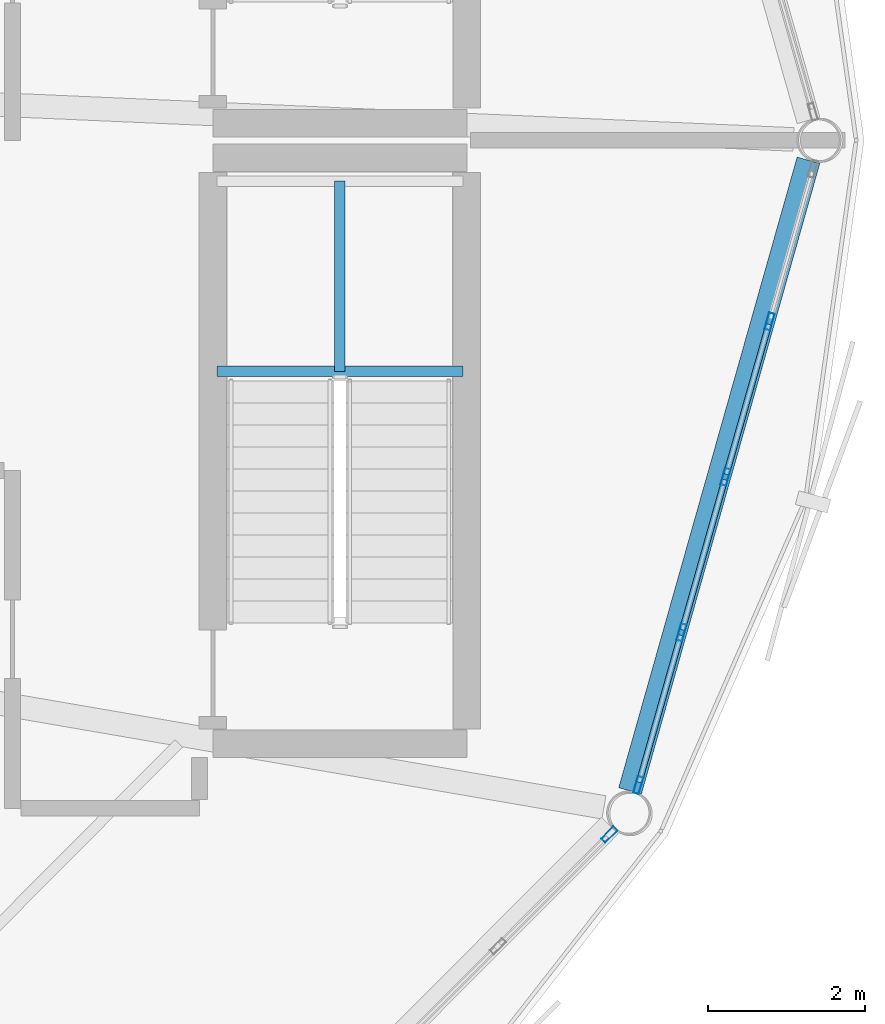
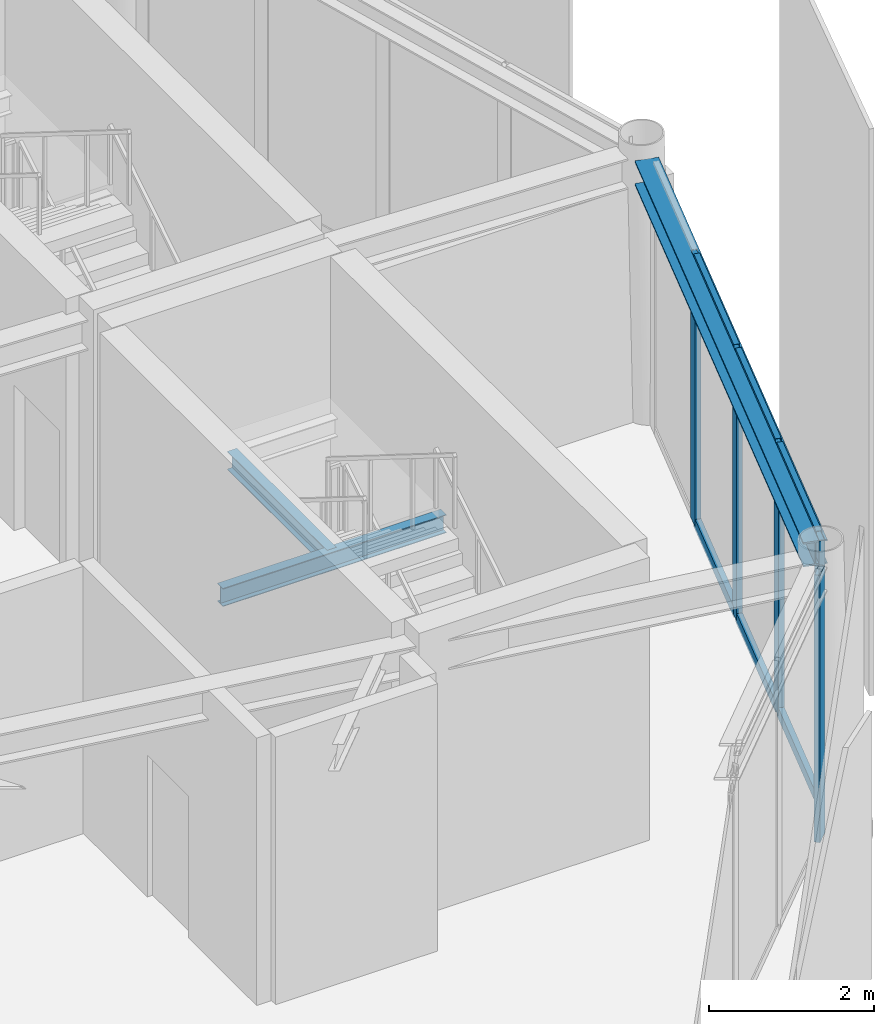
# One storey, part 4 of 13: 11 members, 3 beams, 2 elements without a shape of their own.
"""IFC4 building model written with IfcOpenShell, lengths in metres."""

from ifc_helpers import new_model, si_unit, direction, frame, origin, origin_2d, place, context, subcontext, project, spatial, hollow_rectangle, i_section, extrude, material, layer, layer_set, material_profile, profile_set, type_object, element, aggregate, save


model = new_model("IFC4")

# Units and contexts
model_context = context("Model", 3, precision=1e-05, world=origin(), true_north=direction((0.0, 1.0)))
body_context = subcontext(model_context, "Body", "Model", "MODEL_VIEW")
ifc_project = project(units=[si_unit("LENGTHUNIT", "METRE"), si_unit("AREAUNIT", "SQUARE_METRE"), si_unit("VOLUMEUNIT", "CUBIC_METRE"), si_unit("PLANEANGLEUNIT", "RADIAN"), si_unit("MASSUNIT", "GRAM", prefix="KILO")], contexts=[model_context])

# Site, building, storey
site_placement = place(None, origin())
site = spatial("IfcSite", under=ifc_project, at=site_placement, CompositionType="ELEMENT")
building_placement = place(site_placement, origin())
building = spatial("IfcBuilding", under=site, at=building_placement, Name="Varnakorn Sky Granary", CompositionType="ELEMENT")
storey_placement = place(building_placement, frame((0.0, 0.0, 315.0)))
storey = spatial("IfcBuildingStorey", under=building, at=storey_placement, Name="L80", CompositionType="ELEMENT", Elevation=315.0)

# Beams
ifc_material_1 = material(Name="Steel S355JR", Category="steel")
ifc_material_profile_1 = material_profile(ifc_material_1, i_section(OverallWidth=0.135009765625, OverallDepth=0.27001953125, WebThickness=0.006591796875, FlangeThickness=0.01025390625, at=origin_2d()), Name="IPE 270")
ifc_profile_set_1 = profile_set([ifc_material_profile_1], Name="Steel S355JR")
beam_type_1 = type_object("IfcBeamType", Name="BM-LND-270", PredefinedType="BEAM", material=ifc_profile_set_1)
beam_1_placement = place(storey_placement, frame((14.39990234375, -2.93994140625, 1.764892578125), z_axis=(1.0, 0.0, 0.0), x_axis=(0.0, 1.0, 0.0)))
element("IfcBeam", 1, at=beam_1_placement, inside=storey, type_object=beam_type_1, Name="Stair ST-C2 Landing Trimmer Beam A L80-1", PredefinedType="BEAM", context=body_context, shape_type="SweptSolid", body=[
    extrude(i_section(OverallWidth=0.135009765625, OverallDepth=0.27001953125, WebThickness=0.006591796875, FlangeThickness=0.01025390625, at=origin_2d()), origin(), (0.0, 0.0, 1.0), 3.130126953125),
])
beam_2_placement = place(storey_placement, frame((15.965087890625, -2.93994140625, 1.764892578125), z_axis=(0.0, 1.0, 0.0), x_axis=(-1.0, 0.0, 0.0)))
element("IfcBeam", 2, at=beam_2_placement, inside=storey, type_object=beam_type_1, Name="Stair ST-C2 Landing Cross Beam C L80-1", PredefinedType="BEAM", context=body_context, shape_type="SweptSolid", body=[
    extrude(i_section(OverallWidth=0.135009765625, OverallDepth=0.27001953125, WebThickness=0.006591796875, FlangeThickness=0.01025390625, at=origin_2d()), origin(), (0.0, 0.0, 1.0), 2.419921875),
])
ifc_material_profile_2 = material_profile(ifc_material_1, i_section(OverallWidth=0.300048828125, OverallDepth=0.360107421875, WebThickness=0.012451171875, FlangeThickness=0.0224609375, at=origin_2d()), Name="HE 360 B")
ifc_profile_set_2 = profile_set([ifc_material_profile_2], Name="Steel S355JR")
beam_type_2 = type_object("IfcBeamType", Name="BM-SPD-Z5", PredefinedType="SPANDREL", material=ifc_profile_set_2)
beam_3_placement = place(storey_placement, frame((19.657470703125, -8.278076171875, 3.780029296875), z_axis=(0.272284107146, 0.962216901221, 0.0), x_axis=(-0.962216901221, 0.272284107146, 0.0)))
element("IfcBeam", 3, at=beam_3_placement, inside=storey, type_object=beam_type_2, Name="Perimeter Spandrel Ring Beam RB12 L80", PredefinedType="SPANDREL", context=body_context, shape_type="SweptSolid", body=[
    extrude(i_section(OverallWidth=0.300048828125, OverallDepth=0.360107421875, WebThickness=0.012451171875, FlangeThickness=0.0224609375, at=origin_2d()), origin(), (0.0, 0.0, 1.0), 8.3388671875),
])

# Curtain wall, member
ifc_material_2 = material(Name="Anodised Bronze Aluminium Alloy 6063-T6", Category="aluminium")
ifc_layer = layer(ifc_material_2, 0.22998046875, Name="Anodised Bronze Aluminium Alloy 6063-T6")
ifc_layer_set = layer_set([ifc_layer], Name="Anodised Bronze Aluminium Alloy 6063-T6")
curtain_wall_type = type_object("IfcCurtainWallType", Name="CW-LNT-1", PredefinedType="USERDEFINED", material=ifc_layer_set)
curtain_wall_1_placement = place(storey_placement, origin())
curtain_wall_1 = element("IfcCurtainWall", 4, at=curtain_wall_1_placement, inside=storey, type_object=curtain_wall_type, Name="Unitised Curtain Wall CW7 CW-L80-B11", ObjectType="CURTAIN WALL", PredefinedType="USERDEFINED")
ifc_material_profile_3 = material_profile(ifc_material_2, hollow_rectangle(XDim=0.074951171875, YDim=0.219970703125, WallThickness=0.00390625, at=origin_2d()), Name="ALU MULL 75x220")
ifc_profile_set_3 = profile_set([ifc_material_profile_3], Name="Anodised Bronze Aluminium Alloy 6063-T6")
member_type_1 = type_object("IfcMemberType", Name="CW-LNT-1-MULL", PredefinedType="MULLION", material=ifc_profile_set_3)
member_1_placement = place(storey_placement, frame((19.3935546875, -8.8349609375, 0.0), z_axis=(0.0, 0.0, 1.0), x_axis=(0.707827489254, -0.706385337798, 0.0)))
member_1 = element("IfcMember", 5, at=member_1_placement, type_object=member_type_1, Name="CW7 mullion 1", PredefinedType="MULLION", context=body_context, shape_type="SweptSolid", body=[
    extrude(hollow_rectangle(XDim=0.074951171875, YDim=0.219970703125, WallThickness=0.00390625, at=origin_2d()), origin(), (0.0, 0.0, 1.0), 3.9599609375),
])
aggregate(curtain_wall_1, [member_1])

# Curtain wall, members
curtain_wall_2_placement = place(storey_placement, origin())
curtain_wall_2 = element("IfcCurtainWall", 6, at=curtain_wall_2_placement, inside=storey, type_object=curtain_wall_type, Name="Unitised Curtain Wall CW7 CW-L80-B12", ObjectType="CURTAIN WALL", PredefinedType="USERDEFINED")
member_2_placement = place(storey_placement, frame((21.43310546875, -2.305419921875, 0.0), z_axis=(0.0, 0.0, 1.0), x_axis=(0.962170396293, -0.272448396027, 0.0)))
member_2 = element("IfcMember", 7, at=member_2_placement, type_object=member_type_1, Name="CW7 mullion 2", PredefinedType="MULLION", context=body_context, shape_type="SweptSolid", body=[
    extrude(hollow_rectangle(XDim=0.074951171875, YDim=0.219970703125, WallThickness=0.00390625, at=origin_2d()), origin(), (0.0, 0.0, 1.0), 3.9599609375),
])
member_3_placement = place(storey_placement, frame((20.873046875, -4.283935546875, 0.0), z_axis=(0.0, 0.0, 1.0), x_axis=(0.962170396293, -0.272448396027, 0.0)))
member_3 = element("IfcMember", 8, at=member_3_placement, type_object=member_type_1, Name="CW7 mullion 3", PredefinedType="MULLION", context=body_context, shape_type="SweptSolid", body=[
    extrude(hollow_rectangle(XDim=0.074951171875, YDim=0.219970703125, WallThickness=0.00390625, at=origin_2d()), origin(), (0.0, 0.0, 1.0), 3.9599609375),
])
member_4_placement = place(storey_placement, frame((20.312744140625, -6.2626953125, 0.0), z_axis=(0.0, 0.0, 1.0), x_axis=(0.962170396293, -0.272448396027, 0.0)))
member_4 = element("IfcMember", 9, at=member_4_placement, type_object=member_type_1, Name="CW7 mullion 4", PredefinedType="MULLION", context=body_context, shape_type="SweptSolid", body=[
    extrude(hollow_rectangle(XDim=0.074951171875, YDim=0.219970703125, WallThickness=0.00390625, at=origin_2d()), origin(), (0.0, 0.0, 1.0), 3.9599609375),
])
member_5_placement = place(storey_placement, frame((19.7626953125, -8.205322265625, 0.0), z_axis=(0.0, 0.0, 1.0), x_axis=(0.962170396293, -0.272448396027, 0.0)))
member_5 = element("IfcMember", 10, at=member_5_placement, type_object=member_type_1, Name="CW7 mullion 5", PredefinedType="MULLION", context=body_context, shape_type="SweptSolid", body=[
    extrude(hollow_rectangle(XDim=0.074951171875, YDim=0.219970703125, WallThickness=0.00390625, at=origin_2d()), origin(), (0.0, 0.0, 1.0), 3.9599609375),
])
ifc_material_profile_4 = material_profile(ifc_material_2, hollow_rectangle(XDim=0.074951171875, YDim=0.159912109375, WallThickness=0.00390625, at=origin_2d()), Name="ALU TRAN 75x160")
ifc_profile_set_4 = profile_set([ifc_material_profile_4], Name="Anodised Bronze Aluminium Alloy 6063-T6")
member_type_2 = type_object("IfcMemberType", Name="CW-LNT-1-TRAN", PredefinedType="USERDEFINED", material=ifc_profile_set_4)
member_6_placement = place(storey_placement, frame((21.423095703125, -2.341552734375, 0.03759765625), z_axis=(-0.27257215439, -0.962135344248, 0.0), x_axis=(0.962135344248, -0.27257215439, 0.0)))
member_6 = element("IfcMember", 11, at=member_6_placement, type_object=member_type_2, Name="CW7 transom 2.1", ObjectType="TRANSOM", PredefinedType="USERDEFINED", context=body_context, shape_type="SweptSolid", body=[
    extrude(hollow_rectangle(XDim=0.074951171875, YDim=0.159912109375, WallThickness=0.00390625, at=origin_2d()), origin(), (0.0, 0.0, 1.0), 1.981201171875),
])
member_7_placement = place(storey_placement, frame((21.423095703125, -2.341552734375, 3.922607421875), z_axis=(-0.27257215439, -0.962135344248, 0.0), x_axis=(0.962135344248, -0.27257215439, 0.0)))
member_7 = element("IfcMember", 12, at=member_7_placement, type_object=member_type_2, Name="CW7 transom 2.2", ObjectType="TRANSOM", PredefinedType="USERDEFINED", context=body_context, shape_type="SweptSolid", body=[
    extrude(hollow_rectangle(XDim=0.074951171875, YDim=0.159912109375, WallThickness=0.00390625, at=origin_2d()), origin(), (0.0, 0.0, 1.0), 1.981201171875),
])
member_8_placement = place(storey_placement, frame((20.86279296875, -4.320068359375, 0.03759765625), z_axis=(-0.272425778661, -0.962176800344, 0.0), x_axis=(0.962176800344, -0.272425778661, 0.0)))
member_8 = element("IfcMember", 13, at=member_8_placement, type_object=member_type_2, Name="CW7 transom 3.1", ObjectType="TRANSOM", PredefinedType="USERDEFINED", context=body_context, shape_type="SweptSolid", body=[
    extrude(hollow_rectangle(XDim=0.074951171875, YDim=0.159912109375, WallThickness=0.00390625, at=origin_2d()), origin(), (0.0, 0.0, 1.0), 1.9814453125),
])
member_9_placement = place(storey_placement, frame((20.86279296875, -4.320068359375, 3.922607421875), z_axis=(-0.272425778661, -0.962176800344, 0.0), x_axis=(0.962176800344, -0.272425778661, 0.0)))
member_9 = element("IfcMember", 14, at=member_9_placement, type_object=member_type_2, Name="CW7 transom 3.2", ObjectType="TRANSOM", PredefinedType="USERDEFINED", context=body_context, shape_type="SweptSolid", body=[
    extrude(hollow_rectangle(XDim=0.074951171875, YDim=0.159912109375, WallThickness=0.00390625, at=origin_2d()), origin(), (0.0, 0.0, 1.0), 1.9814453125),
])
member_10_placement = place(storey_placement, frame((20.302490234375, -6.298828125, 0.03759765625), z_axis=(-0.272414611387, -0.962179962119, 0.0), x_axis=(0.962179962119, -0.272414611387, 0.0)))
member_10 = element("IfcMember", 15, at=member_10_placement, type_object=member_type_2, Name="CW7 transom 4.1", ObjectType="TRANSOM", PredefinedType="USERDEFINED", context=body_context, shape_type="SweptSolid", body=[
    extrude(hollow_rectangle(XDim=0.074951171875, YDim=0.159912109375, WallThickness=0.00390625, at=origin_2d()), origin(), (0.0, 0.0, 1.0), 1.94384765625),
])
member_11_placement = place(storey_placement, frame((20.302490234375, -6.298828125, 3.922607421875), z_axis=(-0.272414611387, -0.962179962119, 0.0), x_axis=(0.962179962119, -0.272414611387, 0.0)))
member_11 = element("IfcMember", 16, at=member_11_placement, type_object=member_type_2, Name="CW7 transom 4.2", ObjectType="TRANSOM", PredefinedType="USERDEFINED", context=body_context, shape_type="SweptSolid", body=[
    extrude(hollow_rectangle(XDim=0.074951171875, YDim=0.159912109375, WallThickness=0.00390625, at=origin_2d()), origin(), (0.0, 0.0, 1.0), 1.94384765625),
])
aggregate(curtain_wall_2, [member_2, member_3, member_4, member_5, member_6, member_7, member_8, member_9, member_10, member_11])

save(model, "model.ifc")
